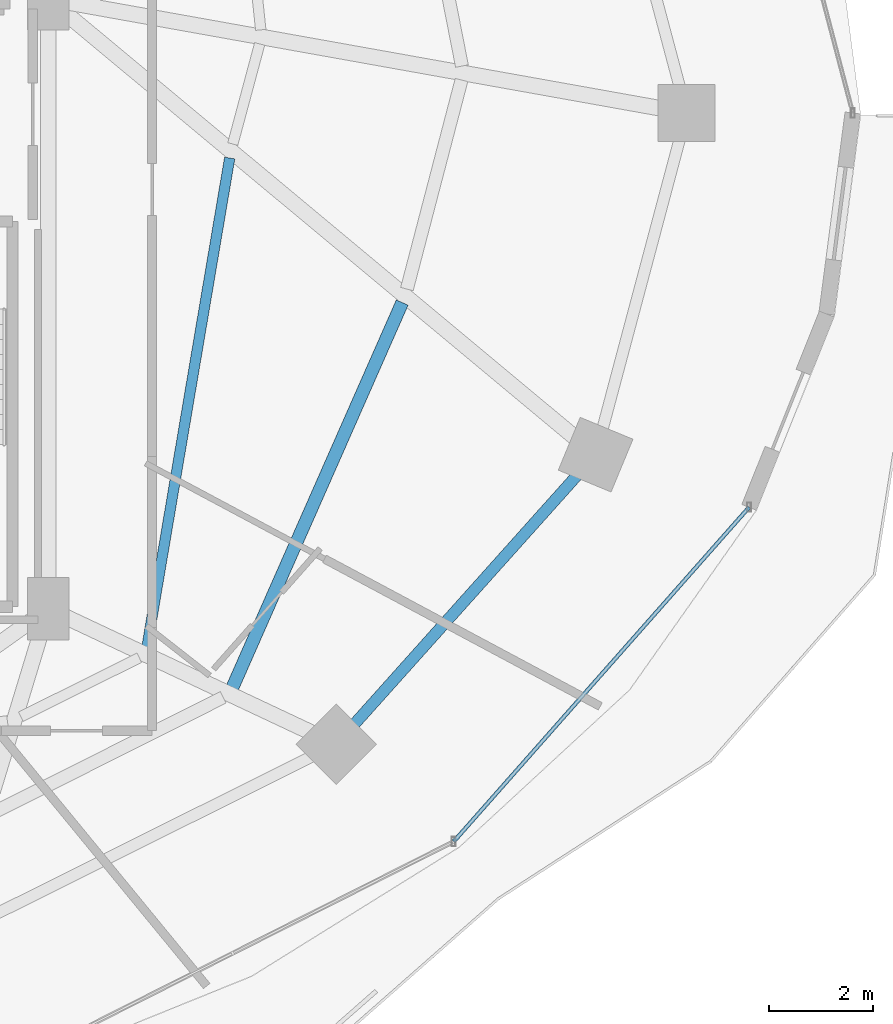
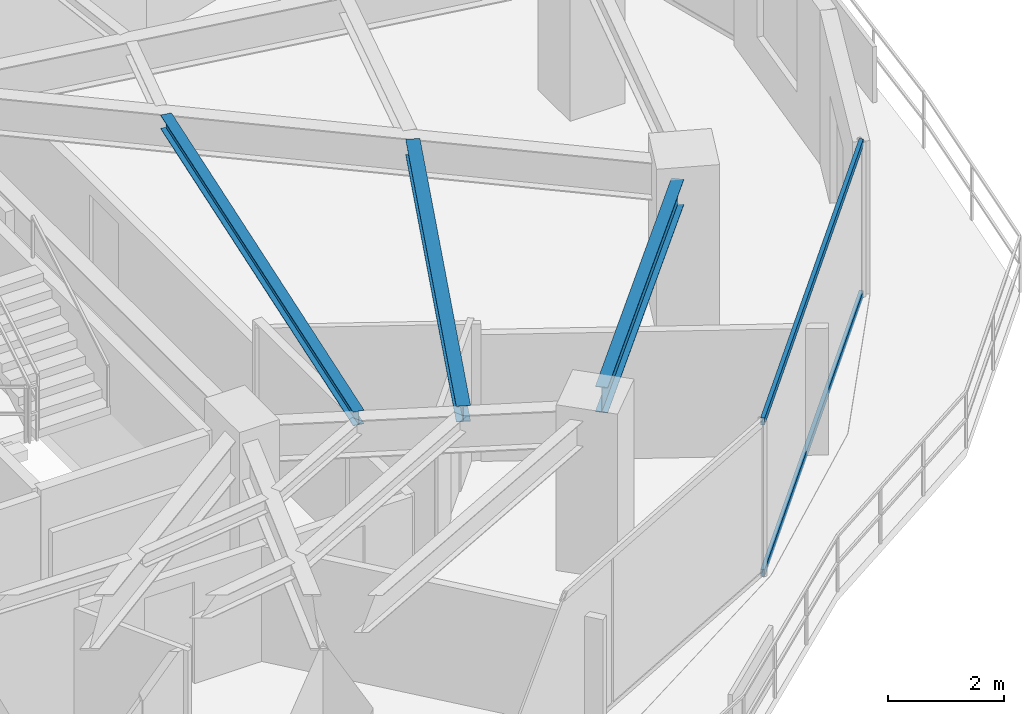
# One storey, part 12 of 29: 3 beams, 2 members, 1 element without a shape of its own.
"""IFC4 building model written with IfcOpenShell, lengths in metres."""

from ifc_helpers import new_model, si_unit, direction, frame, origin, origin_2d, place, context, subcontext, project, spatial, hollow_rectangle, i_section, extrude, material, material_profile, profile_set, type_object, element, aggregate, save


model = new_model("IFC4")

# Units and contexts
model_context = context("Model", 3, precision=1e-05, world=origin(), true_north=direction((0.0, 1.0)))
body_context = subcontext(model_context, "Body", "Model", "MODEL_VIEW")
ifc_project = project(units=[si_unit("LENGTHUNIT", "METRE"), si_unit("AREAUNIT", "SQUARE_METRE"), si_unit("VOLUMEUNIT", "CUBIC_METRE"), si_unit("PLANEANGLEUNIT", "RADIAN"), si_unit("MASSUNIT", "GRAM", prefix="KILO")], contexts=[model_context])

# Site, building, storey
site_placement = place(None, origin())
site = spatial("IfcSite", under=ifc_project, at=site_placement, CompositionType="ELEMENT")
building_placement = place(site_placement, origin())
building = spatial("IfcBuilding", under=site, at=building_placement, Name="Vorneva Point Tower", CompositionType="ELEMENT")
storey_placement = place(building_placement, frame((0.0, 0.0, 110.300048828125)))
storey = spatial("IfcBuildingStorey", under=building, at=storey_placement, Name="L29", CompositionType="ELEMENT", Elevation=110.300048828125)

# Beams
ifc_material_1 = material(Name="Steel S355", Category="steel")
ifc_material_profile_1 = material_profile(ifc_material_1, i_section(OverallWidth=0.199951171875, OverallDepth=0.291015625, WebThickness=0.008056640625, FlangeThickness=0.010986328125, at=origin_2d()), Name="30Sh1")
ifc_profile_set_1 = profile_set([ifc_material_profile_1], Name="Steel S355")
beam_type_1 = type_object("IfcBeamType", Name="BM-SEC-30Sh1", PredefinedType="BEAM", material=ifc_profile_set_1)
beam_1_placement = place(storey_placement, frame((50.649658203125, 15.70263671875, 3.094482421875), z_axis=(0.16685295919, 0.985981789897, 0.0), x_axis=(-0.985981789897, 0.16685295919, 0.0)))
element("IfcBeam", 1, at=beam_1_placement, inside=storey, type_object=beam_type_1, Name="L29 Secondary Floor Beam 2.15", PredefinedType="BEAM", context=body_context, shape_type="SweptSolid", body=[
    extrude(i_section(OverallWidth=0.199951171875, OverallDepth=0.291015625, WebThickness=0.008056640625, FlangeThickness=0.010986328125, at=origin_2d()), origin(), (0.0, 0.0, 1.0), 9.56494140625),
])
ifc_material_profile_2 = material_profile(ifc_material_1, i_section(OverallWidth=0.2490234375, OverallDepth=0.333984375, WebThickness=0.008056640625, FlangeThickness=0.010986328125, at=origin_2d()), Name="35Sh1")
ifc_profile_set_2 = profile_set([ifc_material_profile_2], Name="Steel S355")
beam_type_2 = type_object("IfcBeamType", Name="BM-SEC-35Sh1", PredefinedType="BEAM", material=ifc_profile_set_2)
beam_2_placement = place(storey_placement, frame((52.298583984375, 14.931884765625, 3.072998046875), z_axis=(0.403487441762, 0.91498518258, 0.0), x_axis=(-0.91498518258, 0.403487441762, 0.0)))
element("IfcBeam", 2, at=beam_2_placement, inside=storey, type_object=beam_type_2, Name="L29 Secondary Floor Beam 1.15", PredefinedType="BEAM", context=body_context, shape_type="SweptSolid", body=[
    extrude(i_section(OverallWidth=0.2490234375, OverallDepth=0.333984375, WebThickness=0.008056640625, FlangeThickness=0.010986328125, at=origin_2d()), origin(), (0.0, 0.0, 1.0), 8.105712890625),
])
ifc_material_profile_3 = material_profile(ifc_material_1, i_section(OverallWidth=0.219970703125, OverallDepth=0.54296875, WebThickness=0.009521484375, FlangeThickness=0.013427734375, at=origin_2d()), Name="55B1")
ifc_profile_set_3 = profile_set([ifc_material_profile_3], Name="Steel S355")
beam_type_3 = type_object("IfcBeamType", Name="BM-SPN-55B1", PredefinedType="SPANDREL", material=ifc_profile_set_3)
beam_3_placement = place(storey_placement, frame((54.65576171875, 14.236328125, 2.968505859375), z_axis=(0.667073815664, 0.744991627105, 0.0), x_axis=(-0.744991627105, 0.667073815664, 0.0)))
element("IfcBeam", 3, at=beam_3_placement, inside=storey, type_object=beam_type_3, Name="L29 Perimeter Spandrel Ring Beam 15", PredefinedType="SPANDREL", context=body_context, shape_type="SweptSolid", body=[
    extrude(i_section(OverallWidth=0.219970703125, OverallDepth=0.54296875, WebThickness=0.009521484375, FlangeThickness=0.013427734375, at=origin_2d()), origin(), (0.0, 0.0, 1.0), 6.420166015625),
])

# Curtain wall, members
ifc_material_2 = material(Name="Pale anodised aluminium", Category="aluminium")
curtain_wall_type = type_object("IfcCurtainWallType", Name="CW-HTL-SYS", PredefinedType="NOTDEFINED", material=ifc_material_2)
curtain_wall_placement = place(storey_placement, origin())
curtain_wall = element("IfcCurtainWall", 4, at=curtain_wall_placement, inside=storey, type_object=curtain_wall_type, Name="L29 Unitised Curtain Wall CW-L29-R04", PredefinedType="NOTDEFINED")
ifc_material_profile_4 = material_profile(ifc_material_2, hollow_rectangle(XDim=0.074951171875, YDim=0.14990234375, WallThickness=0.00390625, at=origin_2d()), Name="AL-TRN 150x75x4")
ifc_profile_set_4 = profile_set([ifc_material_profile_4], Name="Pale anodised aluminium")
member_type = type_object("IfcMemberType", Name="CW-TRN-150", PredefinedType="USERDEFINED", material=ifc_profile_set_4)
member_1_placement = place(storey_placement, frame((56.5615234375, 11.9638671875, 0.02001953125), z_axis=(0.662137326257, 0.74938251993, 0.0), x_axis=(-0.74938251993, 0.662137326257, 0.0)))
member_1 = element("IfcMember", 5, at=member_1_placement, type_object=member_type, Name="CW-L29-R04 Transom 05.1", ObjectType="TRANSOM", PredefinedType="USERDEFINED", context=body_context, shape_type="SweptSolid", body=[
    extrude(hollow_rectangle(XDim=0.074951171875, YDim=0.14990234375, WallThickness=0.00390625, at=origin_2d()), origin(), (0.0, 0.0, 1.0), 8.59375),
])
member_2_placement = place(storey_placement, frame((56.5615234375, 11.9638671875, 3.219970703125), z_axis=(0.662137326257, 0.74938251993, 0.0), x_axis=(-0.74938251993, 0.662137326257, 0.0)))
member_2 = element("IfcMember", 6, at=member_2_placement, type_object=member_type, Name="CW-L29-R04 Transom 05.2", ObjectType="TRANSOM", PredefinedType="USERDEFINED", context=body_context, shape_type="SweptSolid", body=[
    extrude(hollow_rectangle(XDim=0.074951171875, YDim=0.14990234375, WallThickness=0.00390625, at=origin_2d()), origin(), (0.0, 0.0, 1.0), 8.59375),
])
aggregate(curtain_wall, [member_1, member_2])

save(model, "model.ifc")
